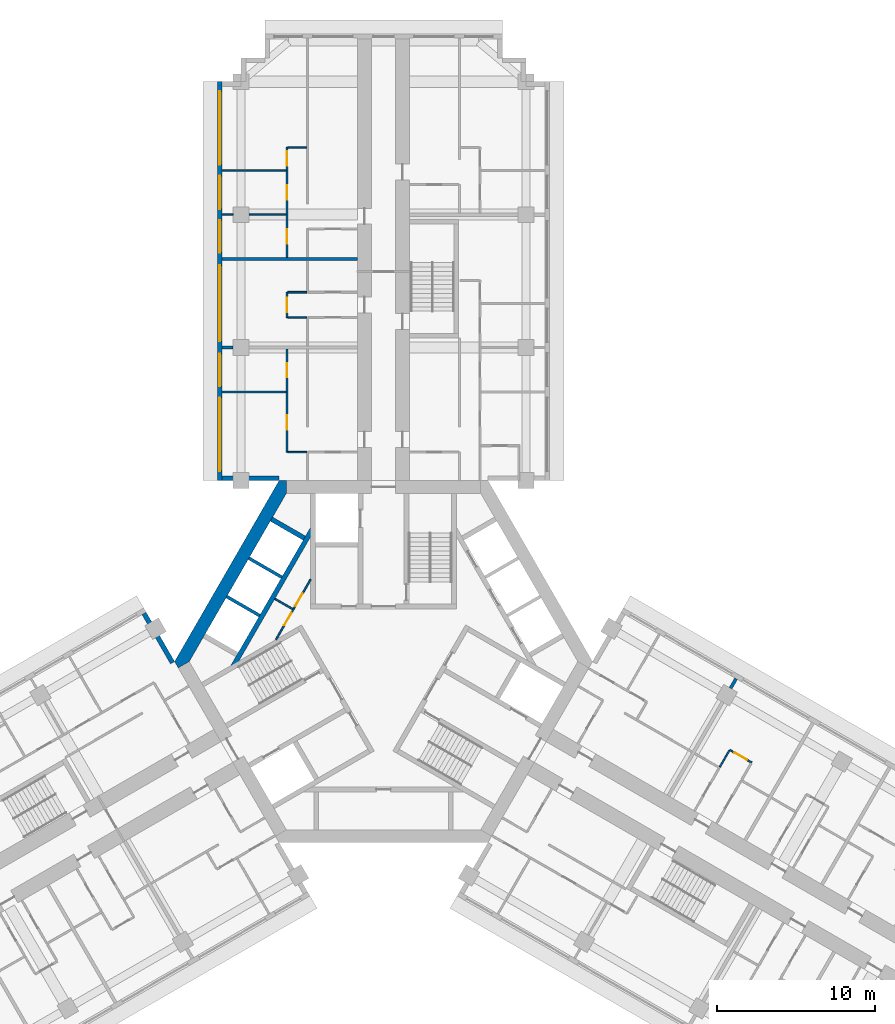
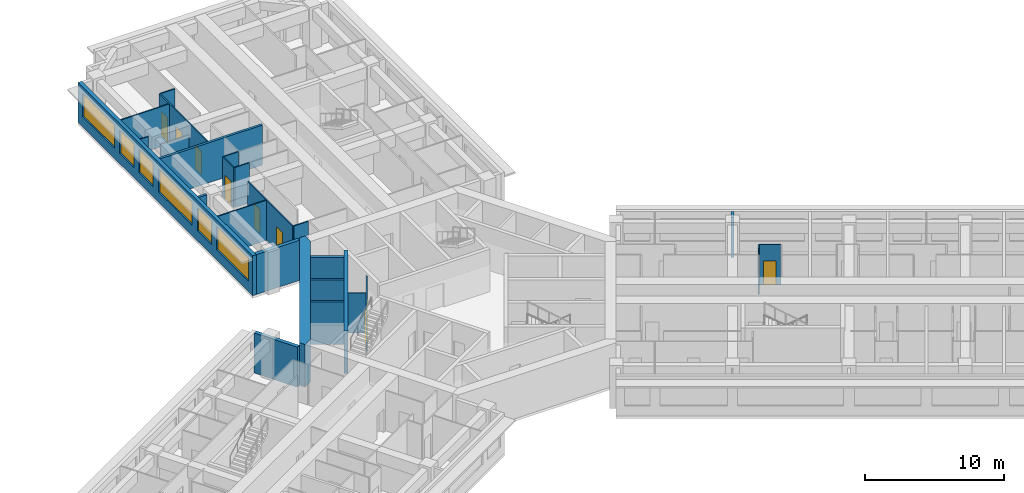
# One storey, part 8 of 15: 26 walls, 9 doors, 6 windows, 15 openings.
"""IFC4 building model written with IfcOpenShell, lengths in metres."""

from ifc_helpers import new_model, si_unit, direction, frame, frame_2d, origin, place, context, subcontext, project, spatial, polyline, rectangle, outline, extrude, material, layer, layer_set, type_object, element, fill, save


model = new_model("IFC4")

# Units and contexts
model_context = context("Model", 3, precision=1e-05, world=origin(), true_north=direction((0.0, 1.0)))
body_context = subcontext(model_context, "Body", "Model", "MODEL_VIEW")
ifc_project = project(units=[si_unit("LENGTHUNIT", "METRE"), si_unit("AREAUNIT", "SQUARE_METRE"), si_unit("VOLUMEUNIT", "CUBIC_METRE"), si_unit("PLANEANGLEUNIT", "RADIAN"), si_unit("MASSUNIT", "GRAM", prefix="KILO")], contexts=[model_context])

# Site, building, storey
site_placement = place(None, origin())
site = spatial("IfcSite", under=ifc_project, at=site_placement, CompositionType="ELEMENT")
building_placement = place(site_placement, origin())
building = spatial("IfcBuilding", under=site, at=building_placement, Name="Impinga Residences", CompositionType="ELEMENT")
storey_placement = place(building_placement, frame((0.0, 0.0, 132.25)))
storey = spatial("IfcBuildingStorey", under=building, at=storey_placement, Name="L32", CompositionType="ELEMENT", Elevation=132.25)

# Wall, openings, doors
ifc_material_1 = material(Name="Concrete blockwork", Category="masonry")
ifc_layer_1 = layer(ifc_material_1, 0.10009765625)
ifc_layer_set_1 = layer_set([ifc_layer_1], Name="CP1 core room partition, blockwork 100")
wall_type_1 = type_object("IfcWallType", Name="CP1 core room partition, blockwork 100", PredefinedType="PARTITIONING", material=ifc_layer_set_1)
wall_1_placement = place(storey_placement, frame((-6.799560546875, 1.385986328125, 0.0), z_axis=(0.0, 0.0, 1.0), x_axis=(0.500001098885, 0.866024769342, 0.0)))
wall_1 = element("IfcWall", 1, at=wall_1_placement, inside=storey, type_object=wall_type_1, Name="Core room partition, blockwork L32:CORE:high:FP", PredefinedType="PARTITIONING", context=body_context, shape_type="SweptSolid", body=[
    extrude(rectangle(XDim=4.39892578125, YDim=0.10009765625, at=frame_2d((2.199462890625, 0.0))), origin(), (0.0, 0.0, 1.0), 3.530029296875),
])
opening_1_placement = place(wall_1_placement, frame((1.049560546875, 0.0, 0.0)))
opening_1 = element("IfcOpeningElement", 2, at=opening_1_placement, cuts=wall_1, Name="Opening D6", PredefinedType="OPENING", context=body_context, shape_type="SweptSolid", body=[
    extrude(rectangle(XDim=0.89990234375, YDim=2.10009765625, at=frame_2d((0.449951171875, 1.050048828125))), frame((0.0, 0.06005859375, 0.0), z_axis=(0.0, -1.0, 0.0), x_axis=(1.0, 0.0, 0.0)), (0.0, 0.0, 1.0), 0.1201171875),
])
opening_2_placement = place(wall_1_placement, frame((2.449462890625, 0.0, 0.0)))
opening_2 = element("IfcOpeningElement", 3, at=opening_2_placement, cuts=wall_1, Name="Opening D6", PredefinedType="OPENING", context=body_context, shape_type="SweptSolid", body=[
    extrude(rectangle(XDim=0.89990234375, YDim=2.10009765625, at=frame_2d((0.449951171875, 1.050048828125))), frame((0.0, 0.06005859375, 0.0), z_axis=(0.0, -1.0, 0.0), x_axis=(1.0, 0.0, 0.0)), (0.0, 0.0, 1.0), 0.1201171875),
])
ifc_material_2 = material(Name="Timber door set", Category="wood")
door_type_1 = type_object("IfcDoorType", Name="D6 riser and store door 900x2100", OperationType="SINGLE_SWING_LEFT", PredefinedType="DOOR", material=ifc_material_2)
door_1_placement = place(opening_1_placement, origin())
door_1 = element("IfcDoor", 4, at=door_1_placement, inside=storey, type_object=door_type_1, Name="Cleaners' store door", OperationType="SINGLE_SWING_LEFT", OverallHeight=2.10009765625, OverallWidth=0.89990234375, PredefinedType="DOOR", context=body_context, shape_type="SweptSolid", body=[
    extrude(rectangle(XDim=0.89990234375, YDim=2.10009765625, at=frame_2d((0.449951171875, 1.050048828125))), frame((0.0, 0.02490234375, 0.0), z_axis=(0.0, -1.0, 0.0), x_axis=(1.0, 0.0, 0.0)), (0.0, 0.0, 1.0), 0.050048828125),
])
fill(opening_1, door_1)
door_2_placement = place(opening_2_placement, origin())
door_2 = element("IfcDoor", 5, at=door_2_placement, inside=storey, type_object=door_type_1, Name="Refuse room door", OperationType="SINGLE_SWING_RIGHT", OverallHeight=2.10009765625, OverallWidth=0.89990234375, PredefinedType="DOOR", context=body_context, shape_type="SweptSolid", body=[
    extrude(rectangle(XDim=0.89990234375, YDim=2.10009765625, at=frame_2d((0.449951171875, 1.050048828125))), frame((0.0, 0.02490234375, 0.0), z_axis=(0.0, -1.0, 0.0), x_axis=(1.0, 0.0, 0.0)), (0.0, 0.0, 1.0), 0.050048828125),
])
fill(opening_2, door_2)

# Walls
wall_2_placement = place(storey_placement, frame((-5.7431640625, 3.315673828125, 0.0), z_axis=(0.0, 0.0, 1.0), x_axis=(-0.86595725628, 0.500118016368, 0.0)))
element("IfcWall", 6, at=wall_2_placement, inside=storey, type_object=wall_type_1, Name="Core room partition, blockwork L32:CORE:high:FS", PredefinedType="PARTITIONING", context=body_context, shape_type="SweptSolid", body=[
    extrude(rectangle(XDim=1.300048828125, YDim=0.10009765625, at=frame_2d((0.64990234375, 0.0))), origin(), (0.0, 0.0, 1.0), 3.530029296875),
])
ifc_material_3 = material(Name="Terracotta rainscreen on blockwork", Category="masonry")
ifc_layer_2 = layer(ifc_material_3, 0.300048828125)
ifc_layer_set_2 = layer_set([ifc_layer_2], Name="EW1 external wall, terracotta rainscreen on blockwork 300")
wall_type_2 = type_object("IfcWallType", Name="EW1 external wall, terracotta rainscreen on blockwork 300", PredefinedType="SOLIDWALL", material=ifc_layer_set_2)
wall_3_placement = place(storey_placement, frame((-15.1298828125, 3.042724609375, 0.0), z_axis=(0.0, 0.0, 1.0), x_axis=(0.500012057535, -0.866018442252, 0.0)))
element("IfcWall", 7, at=wall_3_placement, inside=storey, type_object=wall_type_2, Name="External wall EW1 L32", PredefinedType="SOLIDWALL", context=body_context, shape_type="SweptSolid", body=[
    extrude(rectangle(XDim=3.60009765625, YDim=0.300048828125, at=frame_2d((1.800048828125, 0.0))), origin(), (0.0, 0.0, 1.0), 3.530029296875),
])
wall_4_placement = place(storey_placement, frame((-6.60009765625, 11.58154296875, 0.0), z_axis=(0.0, 0.0, 1.0), x_axis=(-1.0, 0.0, 0.0)))
element("IfcWall", 8, at=wall_4_placement, inside=storey, type_object=wall_type_2, Name="External wall EW1 L32", PredefinedType="SOLIDWALL", context=body_context, shape_type="SweptSolid", body=[
    extrude(rectangle(XDim=3.599853515625, YDim=0.300048828125, at=frame_2d((1.7998046875, 0.0))), origin(), (0.0, 0.0, 1.0), 3.530029296875),
])

# Wall, openings, windows
wall_5_placement = place(storey_placement, frame((-10.35009765625, 11.431640625, 0.0), z_axis=(0.0, 0.0, 1.0), x_axis=(0.0, 1.0, 0.0)))
wall_5 = element("IfcWall", 9, at=wall_5_placement, inside=storey, type_object=wall_type_2, Name="External wall EW1 L32", PredefinedType="SOLIDWALL", context=body_context, shape_type="SweptSolid", body=[
    extrude(rectangle(XDim=25.199951171875, YDim=0.300048828125, at=frame_2d((12.60009765625, 0.0))), origin(), (0.0, 0.0, 1.0), 3.530029296875),
])
opening_3_placement = place(wall_5_placement, frame((0.60009765625, 0.0, 0.89990234375)))
opening_3 = element("IfcOpeningElement", 10, at=opening_3_placement, cuts=wall_5, Name="Opening W10", PredefinedType="OPENING", context=body_context, shape_type="SweptSolid", body=[
    extrude(rectangle(XDim=4.64990234375, YDim=2.050048828125, at=frame_2d((2.324951171875, 1.02490234375))), frame((0.0, 0.159912109375, 0.0), z_axis=(0.0, -1.0, 0.0), x_axis=(1.0, 0.0, 0.0)), (0.0, 0.0, 1.0), 0.320068359375),
])
opening_4_placement = place(wall_5_placement, frame((5.949951171875, 0.0, 0.89990234375)))
opening_4 = element("IfcOpeningElement", 11, at=opening_4_placement, cuts=wall_5, Name="Opening W14", PredefinedType="OPENING", context=body_context, shape_type="SweptSolid", body=[
    extrude(rectangle(XDim=2.050048828125, YDim=2.050048828125, at=frame_2d((1.02490234375, 1.02490234375))), frame((0.0, 0.159912109375, 0.0), z_axis=(0.0, -1.0, 0.0), x_axis=(1.0, 0.0, 0.0)), (0.0, 0.0, 1.0), 0.320068359375),
])
opening_5_placement = place(wall_5_placement, frame((8.800048828125, 0.0, 0.89990234375)))
opening_5 = element("IfcOpeningElement", 12, at=opening_5_placement, cuts=wall_5, Name="Opening W8", PredefinedType="OPENING", context=body_context, shape_type="SweptSolid", body=[
    extrude(rectangle(XDim=4.800048828125, YDim=2.050048828125, at=frame_2d((2.39990234375, 1.02490234375))), frame((0.0, 0.159912109375, 0.0), z_axis=(0.0, -1.0, 0.0), x_axis=(1.0, 0.0, 0.0)), (0.0, 0.0, 1.0), 0.320068359375),
])
opening_6_placement = place(wall_5_placement, frame((14.39990234375, 0.0, 0.89990234375)))
opening_6 = element("IfcOpeningElement", 13, at=opening_6_placement, cuts=wall_5, Name="Opening W14", PredefinedType="OPENING", context=body_context, shape_type="SweptSolid", body=[
    extrude(rectangle(XDim=2.050048828125, YDim=2.050048828125, at=frame_2d((1.02490234375, 1.02490234375))), frame((0.0, 0.159912109375, 0.0), z_axis=(0.0, -1.0, 0.0), x_axis=(1.0, 0.0, 0.0)), (0.0, 0.0, 1.0), 0.320068359375),
])
opening_7_placement = place(wall_5_placement, frame((17.14990234375, 0.0, 0.89990234375)))
opening_7 = element("IfcOpeningElement", 14, at=opening_7_placement, cuts=wall_5, Name="Opening W9", PredefinedType="OPENING", context=body_context, shape_type="SweptSolid", body=[
    extrude(rectangle(XDim=2.10009765625, YDim=2.050048828125, at=frame_2d((1.050048828125, 1.02490234375))), frame((0.0, 0.159912109375, 0.0), z_axis=(0.0, -1.0, 0.0), x_axis=(1.0, 0.0, 0.0)), (0.0, 0.0, 1.0), 0.320068359375),
])
opening_8_placement = place(wall_5_placement, frame((19.949951171875, 0.0, 0.89990234375)))
opening_8 = element("IfcOpeningElement", 15, at=opening_8_placement, cuts=wall_5, Name="Opening W10", PredefinedType="OPENING", context=body_context, shape_type="SweptSolid", body=[
    extrude(rectangle(XDim=4.64990234375, YDim=2.050048828125, at=frame_2d((2.324951171875, 1.02490234375))), frame((0.0, 0.159912109375, 0.0), z_axis=(0.0, -1.0, 0.0), x_axis=(1.0, 0.0, 0.0)), (0.0, 0.0, 1.0), 0.320068359375),
])
ifc_material_4 = material(Name="Aluminium window, clear double glazing", Category="aluminium")
window_type_1 = type_object("IfcWindowType", Name="W10 ribbon window 4650x2050", PartitioningType="SINGLE_PANEL", PredefinedType="WINDOW", material=ifc_material_4)
window_1_placement = place(opening_3_placement, origin())
window_1 = element("IfcWindow", 16, at=window_1_placement, inside=storey, type_object=window_type_1, Name="Window L32", OverallHeight=2.050048828125, OverallWidth=4.64990234375, PartitioningType="SINGLE_PANEL", PredefinedType="WINDOW", context=body_context, shape_type="SweptSolid", body=[
    extrude(rectangle(XDim=4.64990234375, YDim=2.050048828125, at=frame_2d((2.324951171875, 1.02490234375))), frame((0.0, 0.030029296875, 0.0), z_axis=(0.0, -1.0, 0.0), x_axis=(1.0, 0.0, 0.0)), (0.0, 0.0, 1.0), 0.06005859375),
])
fill(opening_3, window_1)
window_2_placement = place(opening_8_placement, origin())
window_2 = element("IfcWindow", 17, at=window_2_placement, inside=storey, type_object=window_type_1, Name="Window L32", OverallHeight=2.050048828125, OverallWidth=4.64990234375, PartitioningType="SINGLE_PANEL", PredefinedType="WINDOW", context=body_context, shape_type="SweptSolid", body=[
    extrude(rectangle(XDim=4.64990234375, YDim=2.050048828125, at=frame_2d((2.324951171875, 1.02490234375))), frame((0.0, 0.030029296875, 0.0), z_axis=(0.0, -1.0, 0.0), x_axis=(1.0, 0.0, 0.0)), (0.0, 0.0, 1.0), 0.06005859375),
])
fill(opening_8, window_2)
window_type_2 = type_object("IfcWindowType", Name="W14 ribbon window 2050x2050", PartitioningType="SINGLE_PANEL", PredefinedType="WINDOW", material=ifc_material_4)
window_3_placement = place(opening_4_placement, origin())
window_3 = element("IfcWindow", 18, at=window_3_placement, inside=storey, type_object=window_type_2, Name="Window L32", OverallHeight=2.050048828125, OverallWidth=2.050048828125, PartitioningType="SINGLE_PANEL", PredefinedType="WINDOW", context=body_context, shape_type="SweptSolid", body=[
    extrude(rectangle(XDim=2.050048828125, YDim=2.050048828125, at=frame_2d((1.02490234375, 1.02490234375))), frame((0.0, 0.030029296875, 0.0), z_axis=(0.0, -1.0, 0.0), x_axis=(1.0, 0.0, 0.0)), (0.0, 0.0, 1.0), 0.06005859375),
])
fill(opening_4, window_3)
window_4_placement = place(opening_6_placement, origin())
window_4 = element("IfcWindow", 19, at=window_4_placement, inside=storey, type_object=window_type_2, Name="Window L32", OverallHeight=2.050048828125, OverallWidth=2.050048828125, PartitioningType="SINGLE_PANEL", PredefinedType="WINDOW", context=body_context, shape_type="SweptSolid", body=[
    extrude(rectangle(XDim=2.050048828125, YDim=2.050048828125, at=frame_2d((1.02490234375, 1.02490234375))), frame((0.0, 0.030029296875, 0.0), z_axis=(0.0, -1.0, 0.0), x_axis=(1.0, 0.0, 0.0)), (0.0, 0.0, 1.0), 0.06005859375),
])
fill(opening_6, window_4)
window_type_3 = type_object("IfcWindowType", Name="W8 ribbon window 4800x2050", PartitioningType="SINGLE_PANEL", PredefinedType="WINDOW", material=ifc_material_4)
window_5_placement = place(opening_5_placement, origin())
window_5 = element("IfcWindow", 20, at=window_5_placement, inside=storey, type_object=window_type_3, Name="Window L32", OverallHeight=2.050048828125, OverallWidth=4.800048828125, PartitioningType="SINGLE_PANEL", PredefinedType="WINDOW", context=body_context, shape_type="SweptSolid", body=[
    extrude(rectangle(XDim=4.800048828125, YDim=2.050048828125, at=frame_2d((2.39990234375, 1.02490234375))), frame((0.0, 0.030029296875, 0.0), z_axis=(0.0, -1.0, 0.0), x_axis=(1.0, 0.0, 0.0)), (0.0, 0.0, 1.0), 0.06005859375),
])
fill(opening_5, window_5)
window_type_4 = type_object("IfcWindowType", Name="W9 ribbon window 2100x2050", PartitioningType="SINGLE_PANEL", PredefinedType="WINDOW", material=ifc_material_4)
window_6_placement = place(opening_7_placement, origin())
window_6 = element("IfcWindow", 21, at=window_6_placement, inside=storey, type_object=window_type_4, Name="Window L32", OverallHeight=2.050048828125, OverallWidth=2.10009765625, PartitioningType="SINGLE_PANEL", PredefinedType="WINDOW", context=body_context, shape_type="SweptSolid", body=[
    extrude(rectangle(XDim=2.10009765625, YDim=2.050048828125, at=frame_2d((1.050048828125, 1.02490234375))), frame((0.0, 0.030029296875, 0.0), z_axis=(0.0, -1.0, 0.0), x_axis=(1.0, 0.0, 0.0)), (0.0, 0.0, 1.0), 0.06005859375),
])
fill(opening_7, window_6)

# Wall, openings, doors
ifc_material_5 = material(Name="Gypsum board on steel studs", Category="steel")
ifc_layer_3 = layer(ifc_material_5, 0.10009765625)
ifc_layer_set_3 = layer_set([ifc_layer_3], Name="Gypsum board on steel studs")
wall_type_3 = type_object("IfcWallType", Name="IP1 partition 100", PredefinedType="PARTITIONING", material=ifc_layer_set_3)
wall_6_placement = place(storey_placement, frame((-6.10009765625, 13.2314453125, 0.0), z_axis=(0.0, 0.0, 1.0), x_axis=(0.0, 1.0, 0.0)))
wall_6 = element("IfcWall", 22, at=wall_6_placement, inside=storey, type_object=wall_type_3, Name="Partition L32-NA1:STRIP", PredefinedType="PARTITIONING", context=body_context, shape_type="SweptSolid", body=[
    extrude(rectangle(XDim=6.5, YDim=0.10009765625, at=frame_2d((3.25, 0.0))), origin(), (0.0, 0.0, 1.0), 3.530029296875),
])
opening_9_placement = place(wall_6_placement, frame((1.425048828125, 0.0, 0.0)))
opening_9 = element("IfcOpeningElement", 23, at=opening_9_placement, cuts=wall_6, Name="Opening D2", PredefinedType="OPENING", context=body_context, shape_type="SweptSolid", body=[
    extrude(rectangle(XDim=0.89990234375, YDim=2.10009765625, at=frame_2d((0.449951171875, 1.050048828125))), frame((0.0, 0.06005859375, 0.0), z_axis=(0.0, -1.0, 0.0), x_axis=(1.0, 0.0, 0.0)), (0.0, 0.0, 1.0), 0.1201171875),
])
opening_10_placement = place(wall_6_placement, frame((4.72509765625, 0.0, 0.0)))
opening_10 = element("IfcOpeningElement", 24, at=opening_10_placement, cuts=wall_6, Name="Opening D2", PredefinedType="OPENING", context=body_context, shape_type="SweptSolid", body=[
    extrude(rectangle(XDim=0.89990234375, YDim=2.10009765625, at=frame_2d((0.449951171875, 1.050048828125))), frame((0.0, 0.06005859375, 0.0), z_axis=(0.0, -1.0, 0.0), x_axis=(1.0, 0.0, 0.0)), (0.0, 0.0, 1.0), 0.1201171875),
])
door_type_2 = type_object("IfcDoorType", Name="D2 internal door 900x2100", OperationType="SINGLE_SWING_LEFT", PredefinedType="DOOR", material=ifc_material_2)
door_3_placement = place(opening_9_placement, origin())
door_3 = element("IfcDoor", 25, at=door_3_placement, inside=storey, type_object=door_type_2, Name="Apartment L32-NA1 room door", OperationType="SINGLE_SWING_LEFT", OverallHeight=2.10009765625, OverallWidth=0.89990234375, PredefinedType="DOOR", context=body_context, shape_type="SweptSolid", body=[
    extrude(rectangle(XDim=0.89990234375, YDim=2.10009765625, at=frame_2d((0.449951171875, 1.050048828125))), frame((0.0, 0.02490234375, 0.0), z_axis=(0.0, -1.0, 0.0), x_axis=(1.0, 0.0, 0.0)), (0.0, 0.0, 1.0), 0.050048828125),
])
fill(opening_9, door_3)
door_4_placement = place(opening_10_placement, origin())
door_4 = element("IfcDoor", 26, at=door_4_placement, inside=storey, type_object=door_type_2, Name="Apartment L32-NA1 room door", OperationType="SINGLE_SWING_RIGHT", OverallHeight=2.10009765625, OverallWidth=0.89990234375, PredefinedType="DOOR", context=body_context, shape_type="SweptSolid", body=[
    extrude(rectangle(XDim=0.89990234375, YDim=2.10009765625, at=frame_2d((0.449951171875, 1.050048828125))), frame((0.0, 0.02490234375, 0.0), z_axis=(0.0, -1.0, 0.0), x_axis=(1.0, 0.0, 0.0)), (0.0, 0.0, 1.0), 0.050048828125),
])
fill(opening_10, door_4)

# Walls
wall_7_placement = place(storey_placement, frame((-4.85009765625, 13.2314453125, 0.0), z_axis=(0.0, 0.0, 1.0), x_axis=(-1.0, 0.0, 0.0)))
element("IfcWall", 27, at=wall_7_placement, inside=storey, type_object=wall_type_3, Name="Partition L32-NA1:SE0", PredefinedType="PARTITIONING", context=body_context, shape_type="SweptSolid", body=[
    extrude(rectangle(XDim=1.199951171875, YDim=0.10009765625, at=frame_2d((0.60009765625, 0.0))), origin(), (0.0, 0.0, 1.0), 3.530029296875),
])
wall_8_placement = place(storey_placement, frame((-6.14990234375, 17.031494140625, 0.0), z_axis=(0.0, 0.0, 1.0), x_axis=(-1.0, 0.0, 0.0)))
element("IfcWall", 28, at=wall_8_placement, inside=storey, type_object=wall_type_3, Name="Partition L32-NA1:OB1", PredefinedType="PARTITIONING", context=body_context, shape_type="SweptSolid", body=[
    extrude(rectangle(XDim=4.050048828125, YDim=0.10009765625, at=frame_2d((2.02490234375, 0.0))), origin(), (0.0, 0.0, 1.0), 3.530029296875),
])

# Wall, opening, door
wall_9_placement = place(storey_placement, frame((-6.10009765625, 21.7314453125, 0.0), z_axis=(0.0, 0.0, 1.0), x_axis=(0.0, 1.0, 0.0)))
wall_9 = element("IfcWall", 29, at=wall_9_placement, inside=storey, type_object=wall_type_3, Name="Partition L32-NA2:STRIP", PredefinedType="PARTITIONING", context=body_context, shape_type="SweptSolid", body=[
    extrude(rectangle(XDim=1.60009765625, YDim=0.10009765625, at=frame_2d((0.800048828125, 0.0))), origin(), (0.0, 0.0, 1.0), 3.530029296875),
])
opening_11_placement = place(wall_9_placement, frame((0.35009765625, 0.0, 0.0)))
opening_11 = element("IfcOpeningElement", 30, at=opening_11_placement, cuts=wall_9, Name="Opening D2", PredefinedType="OPENING", context=body_context, shape_type="SweptSolid", body=[
    extrude(rectangle(XDim=0.89990234375, YDim=2.10009765625, at=frame_2d((0.449951171875, 1.050048828125))), frame((0.0, 0.06005859375, 0.0), z_axis=(0.0, -1.0, 0.0), x_axis=(1.0, 0.0, 0.0)), (0.0, 0.0, 1.0), 0.1201171875),
])
door_5_placement = place(opening_11_placement, origin())
door_5 = element("IfcDoor", 31, at=door_5_placement, inside=storey, type_object=door_type_2, Name="Apartment L32-NA2 room door", OperationType="SINGLE_SWING_LEFT", OverallHeight=2.10009765625, OverallWidth=0.89990234375, PredefinedType="DOOR", context=body_context, shape_type="SweptSolid", body=[
    extrude(rectangle(XDim=0.89990234375, YDim=2.10009765625, at=frame_2d((0.449951171875, 1.050048828125))), frame((0.0, 0.02490234375, 0.0), z_axis=(0.0, -1.0, 0.0), x_axis=(1.0, 0.0, 0.0)), (0.0, 0.0, 1.0), 0.050048828125),
])
fill(opening_11, door_5)

# Walls
for number, where, z_axis, x_axis, name in (
    (32, (-4.85009765625, 21.7314453125, 0.0), (0.0, 0.0, 1.0), (-1.0, 0.0, 0.0), "Partition L32-NA2:SE0"),
    (33, (-4.85009765625, 23.33154296875, 0.0), (0.0, 0.0, 1.0), (-1.0, 0.0, 0.0), "Partition L32-NA2:SE1"),
):
    element("IfcWall", number, at=place(storey_placement, frame(where, z_axis=z_axis, x_axis=x_axis)), inside=storey, type_object=wall_type_3, Name=name, PredefinedType="PARTITIONING", context=body_context, shape_type="SweptSolid", body=[
        extrude(rectangle(XDim=1.199951171875, YDim=0.10009765625, at=frame_2d((0.60009765625, 0.0))), origin(), (0.0, 0.0, 1.0), 3.530029296875),
    ])

# Wall, openings, doors
wall_10_placement = place(storey_placement, frame((-6.10009765625, 25.531494140625, 0.0), z_axis=(0.0, 0.0, 1.0), x_axis=(0.0, 1.0, 0.0)))
wall_10 = element("IfcWall", 34, at=wall_10_placement, inside=storey, type_object=wall_type_3, Name="Partition L32-NA3:STRIP", PredefinedType="PARTITIONING", context=body_context, shape_type="SweptSolid", body=[
    extrude(rectangle(XDim=6.949951171875, YDim=0.10009765625, at=frame_2d((3.47509765625, 0.0))), origin(), (0.0, 0.0, 1.0), 3.530029296875),
])
opening_12_placement = place(wall_10_placement, frame((0.875, 0.0, 0.0)))
opening_12 = element("IfcOpeningElement", 35, at=opening_12_placement, cuts=wall_10, Name="Opening D2", PredefinedType="OPENING", context=body_context, shape_type="SweptSolid", body=[
    extrude(rectangle(XDim=0.89990234375, YDim=2.10009765625, at=frame_2d((0.449951171875, 1.050048828125))), frame((0.0, 0.06005859375, 0.0), z_axis=(0.0, -1.0, 0.0), x_axis=(1.0, 0.0, 0.0)), (0.0, 0.0, 1.0), 0.1201171875),
])
opening_13_placement = place(wall_10_placement, frame((3.64990234375, 0.0, 0.0)))
opening_13 = element("IfcOpeningElement", 36, at=opening_13_placement, cuts=wall_10, Name="Opening D2", PredefinedType="OPENING", context=body_context, shape_type="SweptSolid", body=[
    extrude(rectangle(XDim=0.89990234375, YDim=2.10009765625, at=frame_2d((0.449951171875, 1.050048828125))), frame((0.0, 0.06005859375, 0.0), z_axis=(0.0, -1.0, 0.0), x_axis=(1.0, 0.0, 0.0)), (0.0, 0.0, 1.0), 0.1201171875),
])
opening_14_placement = place(wall_10_placement, frame((5.800048828125, 0.0, 0.0)))
opening_14 = element("IfcOpeningElement", 37, at=opening_14_placement, cuts=wall_10, Name="Opening D2", PredefinedType="OPENING", context=body_context, shape_type="SweptSolid", body=[
    extrude(rectangle(XDim=0.89990234375, YDim=2.10009765625, at=frame_2d((0.449951171875, 1.050048828125))), frame((0.0, 0.06005859375, 0.0), z_axis=(0.0, -1.0, 0.0), x_axis=(1.0, 0.0, 0.0)), (0.0, 0.0, 1.0), 0.1201171875),
])
door_6_placement = place(opening_12_placement, origin())
door_6 = element("IfcDoor", 38, at=door_6_placement, inside=storey, type_object=door_type_2, Name="Apartment L32-NA3 room door", OperationType="SINGLE_SWING_LEFT", OverallHeight=2.10009765625, OverallWidth=0.89990234375, PredefinedType="DOOR", context=body_context, shape_type="SweptSolid", body=[
    extrude(rectangle(XDim=0.89990234375, YDim=2.10009765625, at=frame_2d((0.449951171875, 1.050048828125))), frame((0.0, 0.02490234375, 0.0), z_axis=(0.0, -1.0, 0.0), x_axis=(1.0, 0.0, 0.0)), (0.0, 0.0, 1.0), 0.050048828125),
])
fill(opening_12, door_6)
door_7_placement = place(opening_13_placement, origin())
door_7 = element("IfcDoor", 39, at=door_7_placement, inside=storey, type_object=door_type_2, Name="Apartment L32-NA3 room door", OperationType="SINGLE_SWING_RIGHT", OverallHeight=2.10009765625, OverallWidth=0.89990234375, PredefinedType="DOOR", context=body_context, shape_type="SweptSolid", body=[
    extrude(rectangle(XDim=0.89990234375, YDim=2.10009765625, at=frame_2d((0.449951171875, 1.050048828125))), frame((0.0, 0.02490234375, 0.0), z_axis=(0.0, -1.0, 0.0), x_axis=(1.0, 0.0, 0.0)), (0.0, 0.0, 1.0), 0.050048828125),
])
fill(opening_13, door_7)
door_8_placement = place(opening_14_placement, origin())
door_8 = element("IfcDoor", 40, at=door_8_placement, inside=storey, type_object=door_type_2, Name="Apartment L32-NA3 room door", OperationType="SINGLE_SWING_RIGHT", OverallHeight=2.10009765625, OverallWidth=0.89990234375, PredefinedType="DOOR", context=body_context, shape_type="SweptSolid", body=[
    extrude(rectangle(XDim=0.89990234375, YDim=2.10009765625, at=frame_2d((0.449951171875, 1.050048828125))), frame((0.0, 0.02490234375, 0.0), z_axis=(0.0, -1.0, 0.0), x_axis=(1.0, 0.0, 0.0)), (0.0, 0.0, 1.0), 0.050048828125),
])
fill(opening_14, door_8)

# Walls
wall_11_placement = place(storey_placement, frame((-4.85009765625, 32.4814453125, 0.0), z_axis=(0.0, 0.0, 1.0), x_axis=(-1.0, 0.0, 0.0)))
element("IfcWall", 41, at=wall_11_placement, inside=storey, type_object=wall_type_3, Name="Partition L32-NA3:SE1", PredefinedType="PARTITIONING", context=body_context, shape_type="SweptSolid", body=[
    extrude(rectangle(XDim=1.199951171875, YDim=0.10009765625, at=frame_2d((0.60009765625, 0.0))), origin(), (0.0, 0.0, 1.0), 3.530029296875),
])
wall_12_placement = place(storey_placement, frame((-6.14990234375, 28.2314453125, 0.0), z_axis=(0.0, 0.0, 1.0), x_axis=(-1.0, 0.0, 0.0)))
element("IfcWall", 42, at=wall_12_placement, inside=storey, type_object=wall_type_3, Name="Partition L32-NA3:OB1", PredefinedType="PARTITIONING", context=body_context, shape_type="SweptSolid", body=[
    extrude(rectangle(XDim=2.35009765625, YDim=0.10009765625, at=frame_2d((1.175048828125, 0.0))), origin(), (0.0, 0.0, 1.0), 2.47998046875),
])
wall_13_placement = place(storey_placement, frame((-9.5, 28.2314453125, 0.0), z_axis=(0.0, 0.0, 1.0), x_axis=(-1.0, 0.0, 0.0)))
element("IfcWall", 43, at=wall_13_placement, inside=storey, type_object=wall_type_3, Name="Partition L32-NA3:OB1b", PredefinedType="PARTITIONING", context=body_context, shape_type="SweptSolid", body=[
    extrude(rectangle(XDim=0.699951171875, YDim=0.10009765625, at=frame_2d((0.35009765625, 0.0))), origin(), (0.0, 0.0, 1.0), 3.530029296875),
])
wall_14_placement = place(storey_placement, frame((-6.14990234375, 31.031494140625, 0.0), z_axis=(0.0, 0.0, 1.0), x_axis=(-1.0, 0.0, 0.0)))
element("IfcWall", 44, at=wall_14_placement, inside=storey, type_object=wall_type_3, Name="Partition L32-NA3:OB2", PredefinedType="PARTITIONING", context=body_context, shape_type="SweptSolid", body=[
    extrude(rectangle(XDim=4.050048828125, YDim=0.10009765625, at=frame_2d((2.02490234375, 0.0))), origin(), (0.0, 0.0, 1.0), 3.530029296875),
])

# Wall, opening, door
wall_15_placement = place(storey_placement, frame((21.8701171875, -5.5830078125, 0.0), z_axis=(0.0, 0.0, 1.0), x_axis=(0.865989903783, -0.500061482766, 0.0)))
wall_15 = element("IfcWall", 45, at=wall_15_placement, inside=storey, type_object=wall_type_3, Name="Partition L32-EA2:STRIP", PredefinedType="PARTITIONING", context=body_context, shape_type="SweptSolid", body=[
    extrude(rectangle(XDim=1.599853515625, YDim=0.10009765625, at=frame_2d((0.7998046875, 0.0))), origin(), (0.0, 0.0, 1.0), 3.530029296875),
])
opening_15_placement = place(wall_15_placement, frame((0.35009765625, 0.0, 0.0)))
opening_15 = element("IfcOpeningElement", 46, at=opening_15_placement, cuts=wall_15, Name="Opening D2", PredefinedType="OPENING", context=body_context, shape_type="SweptSolid", body=[
    extrude(rectangle(XDim=0.89990234375, YDim=2.10009765625, at=frame_2d((0.449951171875, 1.050048828125))), frame((0.0, 0.06005859375, 0.0), z_axis=(0.0, -1.0, 0.0), x_axis=(1.0, 0.0, 0.0)), (0.0, 0.0, 1.0), 0.1201171875),
])
door_9_placement = place(opening_15_placement, origin())
door_9 = element("IfcDoor", 47, at=door_9_placement, inside=storey, type_object=door_type_2, Name="Apartment L32-EA2 room door", OperationType="SINGLE_SWING_LEFT", OverallHeight=2.10009765625, OverallWidth=0.89990234375, PredefinedType="DOOR", context=body_context, shape_type="SweptSolid", body=[
    extrude(rectangle(XDim=0.89990234375, YDim=2.10009765625, at=frame_2d((0.449951171875, 1.050048828125))), frame((0.0, 0.02490234375, 0.0), z_axis=(0.0, -1.0, 0.0), x_axis=(1.0, 0.0, 0.0)), (0.0, 0.0, 1.0), 0.050048828125),
])
fill(opening_15, door_9)

# Walls
wall_16_placement = place(storey_placement, frame((21.2451171875, -6.66552734375, 0.0), z_axis=(0.0, 0.0, 1.0), x_axis=(0.499880961361, 0.866094119867, 0.0)))
element("IfcWall", 48, at=wall_16_placement, inside=storey, type_object=wall_type_3, Name="Partition L32-EA2:SE0", PredefinedType="PARTITIONING", context=body_context, shape_type="SweptSolid", body=[
    extrude(rectangle(XDim=1.199951171875, YDim=0.10009765625, at=frame_2d((0.60009765625, 0.0))), origin(), (0.0, 0.0, 1.0), 3.530029296875),
])
ifc_layer_4 = layer(ifc_material_1, 0.199951171875)
ifc_layer_set_4 = layer_set([ifc_layer_4], Name="PW1 party wall between apartments 200")
wall_type_4 = type_object("IfcWallType", Name="PW1 party wall between apartments 200", PredefinedType="SOLIDWALL", material=ifc_layer_set_4)
wall_17_placement = place(storey_placement, frame((-9.5, 19.83154296875, 0.0), z_axis=(0.0, 0.0, 1.0), x_axis=(-1.0, 0.0, 0.0)))
element("IfcWall", 49, at=wall_17_placement, inside=storey, type_object=wall_type_4, Name="Party wall between apartments L32-NA1:PARTYb", PredefinedType="SOLIDWALL", context=body_context, shape_type="SweptSolid", body=[
    extrude(rectangle(XDim=0.699951171875, YDim=0.199951171875, at=frame_2d((0.35009765625, 0.0))), origin(), (0.0, 0.0, 1.0), 3.530029296875),
])
wall_18_placement = place(storey_placement, frame((-1.64990234375, 25.431640625, 0.0), z_axis=(0.0, 0.0, 1.0), x_axis=(-1.0, 0.0, 0.0)))
element("IfcWall", 50, at=wall_18_placement, inside=storey, type_object=wall_type_4, Name="Party wall between apartments L32-NA2:PARTY", PredefinedType="SOLIDWALL", context=body_context, shape_type="SweptSolid", body=[
    extrude(rectangle(XDim=8.550048828125, YDim=0.199951171875, at=frame_2d((4.27490234375, 0.0))), origin(), (0.0, 0.0, 1.0), 3.530029296875),
])
wall_19_placement = place(storey_placement, frame((21.924560546875, -1.6884765625, 0.0), z_axis=(0.0, 0.0, 1.0), x_axis=(0.500114896893, 0.865959057869, 0.0)))
element("IfcWall", 51, at=wall_19_placement, inside=storey, type_object=wall_type_4, Name="Party wall between apartments L32-EA1:PARTYb", PredefinedType="SOLIDWALL", context=body_context, shape_type="SweptSolid", body=[
    extrude(rectangle(XDim=0.699951171875, YDim=0.199951171875, at=frame_2d((0.35009765625, 0.0))), origin(), (0.0, 0.0, 1.0), 3.530029296875),
])
ifc_material_6 = material(Name="Concrete C60/75", Category="concrete")
ifc_layer_5 = layer(ifc_material_6, 0.800048828125)
ifc_layer_set_5 = layer_set([ifc_layer_5], Name="Concrete C60/75")
wall_type_5 = type_object("IfcWallType", Name="SW2 core wall 800", PredefinedType="SHEAR", material=ifc_layer_set_5)
wall_20_placement = place(storey_placement, origin())
element("IfcWall", 52, at=wall_20_placement, inside=storey, type_object=wall_type_5, Name="Core wall SW2 E:EXPOSED L32", PredefinedType="SHEAR", context=body_context, shape_type="SweptSolid", body=[
    extrude(outline(polyline([(-6.60009765625, 11.431640625), (-13.199951171875, 0.0), (-12.968994140625, -0.39990234375), (-12.276123046875, 0.0), (-6.13818359375, 10.631591796875), (-6.13818359375, 11.431640625), (-6.60009765625, 11.431640625)])), origin(), (0.0, 0.0, 1.0), 3.75),
])
ifc_material_7 = material(Name="Concrete C70/85", Category="concrete")
ifc_layer_6 = layer(ifc_material_7, 0.300048828125)
ifc_layer_set_6 = layer_set([ifc_layer_6], Name="Concrete C70/85")
wall_type_6 = type_object("IfcWallType", Name="SW5 core inner wall, stairs, shafts and lobbies 300", PredefinedType="SHEAR", material=ifc_layer_set_6)
wall_21_placement = place(storey_placement, frame((-9.547607421875, -0.3740234375, 0.0), z_axis=(0.0, 0.0, 1.0), x_axis=(0.500002290144, 0.866024081565, 0.0)))
element("IfcWall", 53, at=wall_21_placement, inside=storey, type_object=wall_type_6, Name="Core wall SW5 E:BANK-FRONT L32", PredefinedType="SHEAR", context=body_context, shape_type="SweptSolid", body=[
    extrude(rectangle(XDim=10.1953125, YDim=0.300048828125, at=frame_2d((5.09765625, 0.0))), origin(), (0.0, 0.0, 1.0), 3.75),
])
wall_22_placement = place(storey_placement, frame((-5.003662109375, 7.79638671875, 0.0), z_axis=(0.0, 0.0, 1.0), x_axis=(-0.866050077142, 0.499957262057, 0.0)))
element("IfcWall", 54, at=wall_22_placement, inside=storey, type_object=wall_type_6, Name="Core wall SW5 E:BANK-R L32", PredefinedType="SHEAR", context=body_context, shape_type="SweptSolid", body=[
    extrude(rectangle(XDim=2.400146484375, YDim=0.300048828125, at=frame_2d((1.2001953125, 0.0))), origin(), (0.0, 0.0, 1.0), 3.75),
])
ifc_layer_7 = layer(ifc_material_7, 0.199951171875)
ifc_layer_set_7 = layer_set([ifc_layer_7], Name="Concrete C70/85")
wall_type_7 = type_object("IfcWallType", Name="SW6 lift shaft divider wall 200", PredefinedType="SHEAR", material=ifc_layer_set_7)
wall_23_placement = place(storey_placement, frame((-7.82861328125, 2.9033203125, 0.0), z_axis=(0.0, 0.0, 1.0), x_axis=(-0.866050077142, 0.499957262057, 0.0)))
element("IfcWall", 55, at=wall_23_placement, inside=storey, type_object=wall_type_7, Name="Core wall SW6 E:BANK-D1 L32", PredefinedType="SHEAR", context=body_context, shape_type="SweptSolid", body=[
    extrude(rectangle(XDim=2.400146484375, YDim=0.199951171875, at=frame_2d((1.2001953125, 0.0))), origin(), (0.0, 0.0, 1.0), 3.75),
])
wall_24_placement = place(storey_placement, frame((-6.4287109375, 5.328125, 0.0), z_axis=(0.0, 0.0, 1.0), x_axis=(-0.865980596518, 0.500077600433, 0.0)))
element("IfcWall", 56, at=wall_24_placement, inside=storey, type_object=wall_type_7, Name="Core wall SW6 E:BANK-D2 L32", PredefinedType="SHEAR", context=body_context, shape_type="SweptSolid", body=[
    extrude(rectangle(XDim=2.39990234375, YDim=0.199951171875, at=frame_2d((1.199951171875, 0.0))), origin(), (0.0, 0.0, 1.0), 3.75),
])

save(model, "model.ifc")
